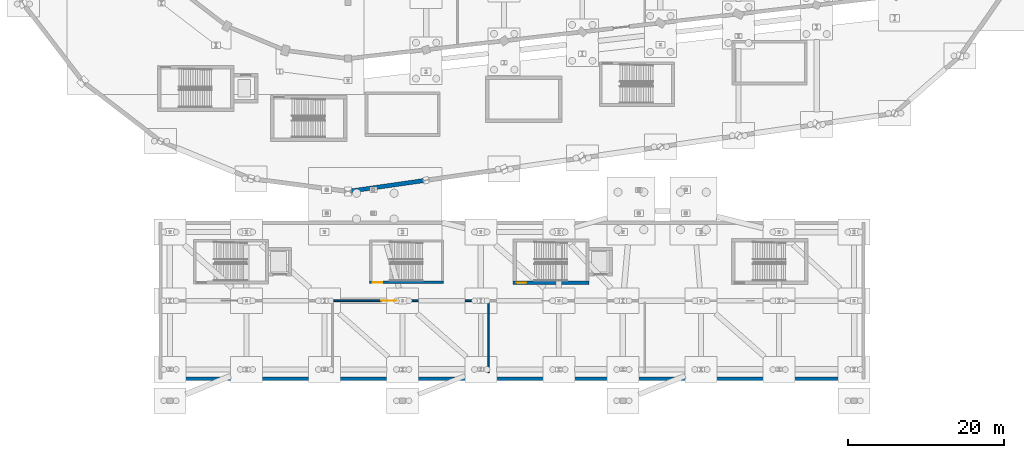
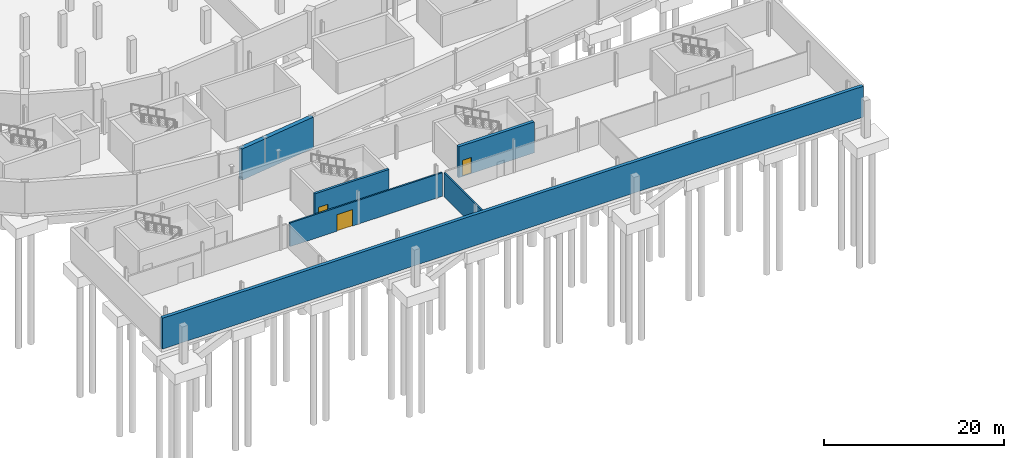
# One storey, part 43 of 55: 6 walls, 3 doors, 3 openings.
"""IFC4 building model written with IfcOpenShell, lengths in metres."""

from ifc_helpers import new_model, si_unit, direction, frame, frame_2d, origin, place, context, subcontext, project, spatial, rectangle, extrude, material, layer, layer_set, type_object, element, fill, save


model = new_model("IFC4")

# Units and contexts
model_context = context("Model", 3, precision=1e-05, world=origin(), true_north=direction((0.0, 1.0)))
body_context = subcontext(model_context, "Body", "Model", "MODEL_VIEW")
ifc_project = project(units=[si_unit("LENGTHUNIT", "METRE"), si_unit("AREAUNIT", "SQUARE_METRE"), si_unit("VOLUMEUNIT", "CUBIC_METRE"), si_unit("PLANEANGLEUNIT", "RADIAN"), si_unit("MASSUNIT", "GRAM", prefix="KILO")], contexts=[model_context])

# Site, building, storey
site_placement = place(None, origin())
site = spatial("IfcSite", under=ifc_project, at=site_placement, CompositionType="ELEMENT")
building_placement = place(site_placement, origin())
building = spatial("IfcBuilding", under=site, at=building_placement, Name="Sohan Crest Arena", CompositionType="ELEMENT")
storey_placement = place(building_placement, frame((0.0, 0.0, -4.5)))
storey = spatial("IfcBuildingStorey", under=building, at=storey_placement, Name="B1", CompositionType="ELEMENT", Elevation=-4.5)

# Wall
ifc_material_1 = material(Name="Fire-rated masonry blockwork compartment wall", Category="masonry")
ifc_layer_1 = layer(ifc_material_1, 0.199951171875, Name="Fire-rated masonry blockwork compartment wall")
ifc_layer_set_1 = layer_set([ifc_layer_1], Name="Fire-rated masonry blockwork compartment wall")
wall_type_1 = type_object("IfcWallType", Name="WAL-FW01", PredefinedType="PARTITIONING", material=ifc_layer_set_1)
wall_1_placement = place(storey_placement, frame((116.0, 6.800048828125, 0.0), z_axis=(0.0, 0.0, 1.0), x_axis=(0.0, 1.0, 0.0)))
element("IfcWall", 1, at=wall_1_placement, inside=storey, type_object=wall_type_1, Name="Interior partition wall PW-0833", PredefinedType="PARTITIONING", context=body_context, shape_type="SweptSolid", body=[
    extrude(rectangle(XDim=9.0, YDim=0.199951171875, at=frame_2d((4.5, 0.0))), origin(), (0.0, 0.0, 1.0), 3.219970703125),
])

# Wall, opening, door
wall_2_placement = place(storey_placement, frame((96.199951171875, 16.0, 0.0), z_axis=(0.0, 0.0, 1.0), x_axis=(1.0, 0.0, 0.0)))
wall_2 = element("IfcWall", 2, at=wall_2_placement, inside=storey, type_object=wall_type_1, Name="Interior partition wall PW-0834", PredefinedType="PARTITIONING", context=body_context, shape_type="SweptSolid", body=[
    extrude(rectangle(XDim=19.60009765625, YDim=0.199951171875, at=frame_2d((9.800048828125, 0.0))), origin(), (0.0, 0.0, 1.0), 3.219970703125),
])
opening_1_placement = place(wall_2_placement, frame((6.055908203125, 0.0, 0.0)))
opening_1 = element("IfcOpeningElement", 3, at=opening_1_placement, cuts=wall_2, Name="Opening B1D-0226", PredefinedType="OPENING", context=body_context, shape_type="SweptSolid", body=[
    extrude(rectangle(XDim=2.0, YDim=2.25, at=frame_2d((1.0, 1.125))), frame((0.0, 0.10986328125, 0.0), z_axis=(0.0, -1.0, 0.0), x_axis=(1.0, 0.0, 0.0)), (0.0, 0.0, 1.0), 0.219970703125),
])
ifc_material_2 = material(Name="Fire-rated steel concourse compartment door", Category="steel")
door_type_1 = type_object("IfcDoorType", Name="DR-FD02", OperationType="DOUBLE_DOOR_SINGLE_SWING", PredefinedType="DOOR", material=ifc_material_2)
door_1_placement = place(opening_1_placement, origin())
door_1 = element("IfcDoor", 4, at=door_1_placement, inside=storey, type_object=door_type_1, Name="Standby power hall door B1D-0226", OperationType="DOUBLE_DOOR_SINGLE_SWING", OverallHeight=2.25, OverallWidth=2.0, PredefinedType="DOOR", context=body_context, shape_type="SweptSolid", body=[
    extrude(rectangle(XDim=2.0, YDim=2.25, at=frame_2d((1.0, 1.125))), frame((0.0, 0.02490234375, 0.0), z_axis=(0.0, -1.0, 0.0), x_axis=(1.0, 0.0, 0.0)), (0.0, 0.0, 1.0), 0.050048828125),
])
fill(opening_1, door_1)

# Walls
ifc_material_3 = material(Name="Concrete C40/50", Category="concrete")
ifc_layer_2 = layer(ifc_material_3, 0.419921875, Name="Concrete C40/50")
ifc_layer_set_2 = layer_set([ifc_layer_2], Name="Concrete C40/50")
wall_type_2 = type_object("IfcWallType", Name="WAL-RW01", PredefinedType="USERDEFINED", material=ifc_layer_set_2)
wall_3_placement = place(storey_placement, frame((74.0, 6.0, 0.0), z_axis=(0.0, 0.0, 1.0), x_axis=(1.0, 0.0, 0.0)))
element("IfcWall", 5, at=wall_3_placement, inside=storey, type_object=wall_type_2, Name="External wall RW-035", ObjectType="RETAINING WALL", PredefinedType="USERDEFINED", context=body_context, shape_type="SweptSolid", body=[
    extrude(rectangle(XDim=90.0, YDim=0.419921875, at=frame_2d((45.0, 0.0))), origin(), (0.0, 0.0, 1.0), 4.199951171875),
])
ifc_layer_3 = layer(ifc_material_3, 0.5400390625, Name="Concrete C40/50")
ifc_layer_set_3 = layer_set([ifc_layer_3], Name="Concrete C40/50")
wall_type_3 = type_object("IfcWallType", Name="WAL-RW03", PredefinedType="USERDEFINED", material=ifc_layer_set_3)
wall_4_placement = place(storey_placement, frame((98.0, 30.0, 0.0), z_axis=(0.0, 0.0, 1.0), x_axis=(0.989944175879, 0.141458575718, 0.0)))
element("IfcWall", 6, at=wall_4_placement, inside=storey, type_object=wall_type_3, Name="External wall RW-051", ObjectType="RETAINING WALL", PredefinedType="USERDEFINED", context=body_context, shape_type="SweptSolid", body=[
    extrude(rectangle(XDim=10.1015625, YDim=0.5400390625, at=frame_2d((5.05078125, 0.0))), origin(), (0.0, 0.0, 1.0), 4.22509765625),
])

# Wall, opening, door
ifc_layer_4 = layer(ifc_material_3, 0.300048828125, Name="Concrete C40/50")
ifc_layer_set_4 = layer_set([ifc_layer_4], Name="Concrete C40/50")
wall_type_4 = type_object("IfcWallType", Name="WAL-SW01", PredefinedType="SHEAR", material=ifc_layer_set_4)
wall_5_placement = place(storey_placement, frame((100.75, 18.35009765625, 0.0), z_axis=(0.0, 0.0, 1.0), x_axis=(1.0, 0.0, 0.0)))
wall_5 = element("IfcWall", 7, at=wall_5_placement, inside=storey, type_object=wall_type_4, Name="Core shear wall SW-0509", PredefinedType="SHEAR", context=body_context, shape_type="SweptSolid", body=[
    extrude(rectangle(XDim=9.5, YDim=0.300048828125, at=frame_2d((4.75, 0.0))), origin(), (0.0, 0.0, 1.0), 4.199951171875),
])
opening_2_placement = place(wall_5_placement, frame((0.449951171875, 0.0, 0.0)))
opening_2 = element("IfcOpeningElement", 8, at=opening_2_placement, cuts=wall_5, Name="Opening SD-0140", PredefinedType="OPENING", context=body_context, shape_type="SweptSolid", body=[
    extrude(rectangle(XDim=1.199951171875, YDim=2.199951171875, at=frame_2d((0.60009765625, 1.10009765625))), frame((0.0, 0.159912109375, 0.0), z_axis=(0.0, -1.0, 0.0), x_axis=(1.0, 0.0, 0.0)), (0.0, 0.0, 1.0), 0.320068359375),
])
ifc_material_4 = material(Name="Fire-rated steel stair and lobby door", Category="steel")
door_type_2 = type_object("IfcDoorType", Name="DR-FD04", OperationType="NOTDEFINED", PredefinedType="DOOR", material=ifc_material_4)
door_2_placement = place(opening_2_placement, frame((1.199951171875, 0.0, 0.0), z_axis=(0.0, 0.0, 1.0), x_axis=(-1.0, 0.0, 0.0)))
door_2 = element("IfcDoor", 9, at=door_2_placement, inside=storey, type_object=door_type_2, Name="Protected stair door SD-0140", OperationType="SINGLE_SWING_RIGHT", OverallHeight=2.199951171875, OverallWidth=1.199951171875, PredefinedType="DOOR", context=body_context, shape_type="SweptSolid", body=[
    extrude(rectangle(XDim=1.199951171875, YDim=2.199951171875, at=frame_2d((0.60009765625, 1.10009765625))), frame((0.0, 0.02490234375, 0.0), z_axis=(0.0, -1.0, 0.0), x_axis=(1.0, 0.0, 0.0)), (0.0, 0.0, 1.0), 0.050048828125),
])
fill(opening_2, door_2)

ifc_layer_5 = layer(ifc_material_3, 0.39990234375, Name="Concrete C40/50")
ifc_layer_set_5 = layer_set([ifc_layer_5], Name="Concrete C40/50")
wall_type_5 = type_object("IfcWallType", Name="WAL-SW03", PredefinedType="SHEAR", material=ifc_layer_set_5)
wall_6_placement = place(storey_placement, frame((119.14990234375, 18.300048828125, 0.0), z_axis=(0.0, 0.0, 1.0), x_axis=(1.0, 0.0, 0.0)))
wall_6 = element("IfcWall", 10, at=wall_6_placement, inside=storey, type_object=wall_type_5, Name="Core shear wall SW-0693", PredefinedType="SHEAR", context=body_context, shape_type="SweptSolid", body=[
    extrude(rectangle(XDim=9.7001953125, YDim=0.39990234375, at=frame_2d((4.85009765625, 0.0))), origin(), (0.0, 0.0, 1.0), 4.199951171875),
])
opening_3_placement = place(wall_6_placement, frame((0.449951171875, 0.0, 0.0)))
opening_3 = element("IfcOpeningElement", 11, at=opening_3_placement, cuts=wall_6, Name="Opening SD-0187", PredefinedType="OPENING", context=body_context, shape_type="SweptSolid", body=[
    extrude(rectangle(XDim=1.199951171875, YDim=2.199951171875, at=frame_2d((0.60009765625, 1.10009765625))), frame((0.0, 0.2099609375, 0.0), z_axis=(0.0, -1.0, 0.0), x_axis=(1.0, 0.0, 0.0)), (0.0, 0.0, 1.0), 0.419921875),
])
door_3_placement = place(opening_3_placement, frame((1.199951171875, 0.0, 0.0), z_axis=(0.0, 0.0, 1.0), x_axis=(-1.0, 0.0, 0.0)))
door_3 = element("IfcDoor", 12, at=door_3_placement, inside=storey, type_object=door_type_2, Name="Protected stair door SD-0187", OperationType="SINGLE_SWING_LEFT", OverallHeight=2.199951171875, OverallWidth=1.199951171875, PredefinedType="DOOR", context=body_context, shape_type="SweptSolid", body=[
    extrude(rectangle(XDim=1.199951171875, YDim=2.199951171875, at=frame_2d((0.60009765625, 1.10009765625))), frame((0.0, 0.02490234375, 0.0), z_axis=(0.0, -1.0, 0.0), x_axis=(1.0, 0.0, 0.0)), (0.0, 0.0, 1.0), 0.050048828125),
])
fill(opening_3, door_3)

save(model, "model.ifc")
